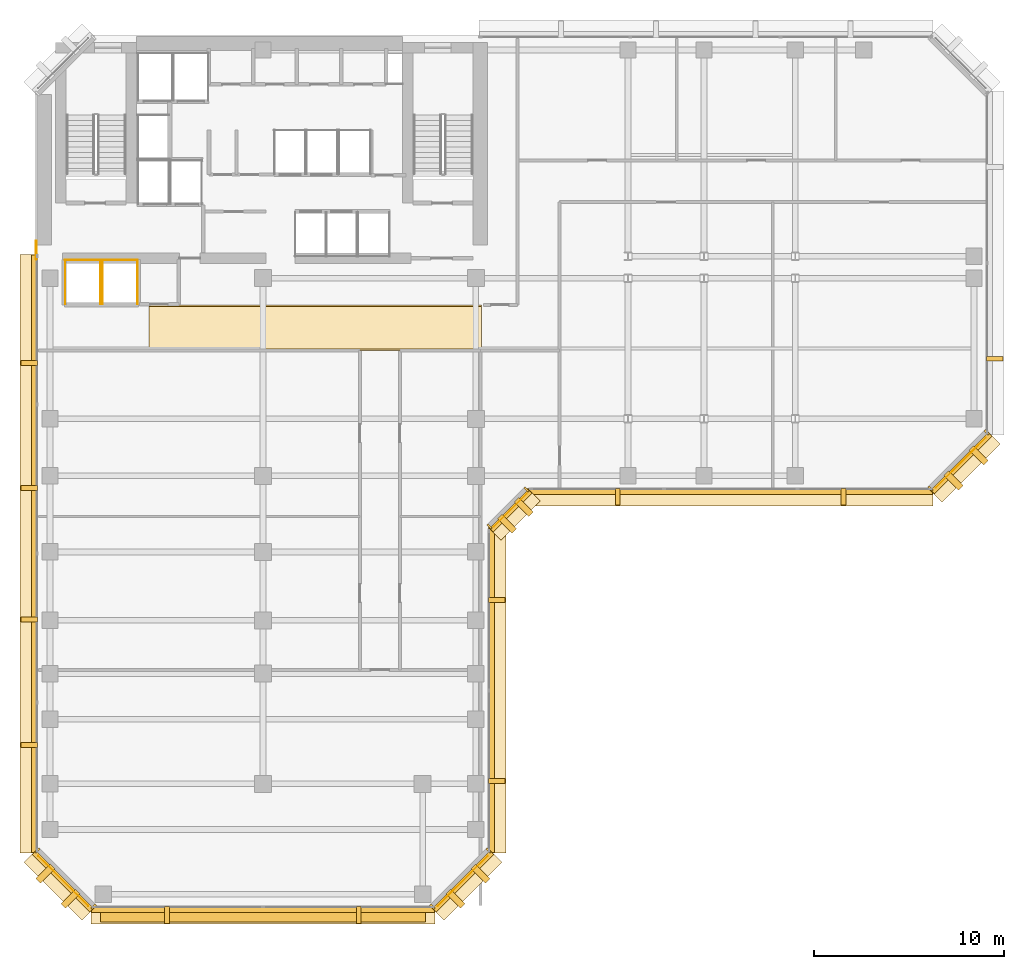
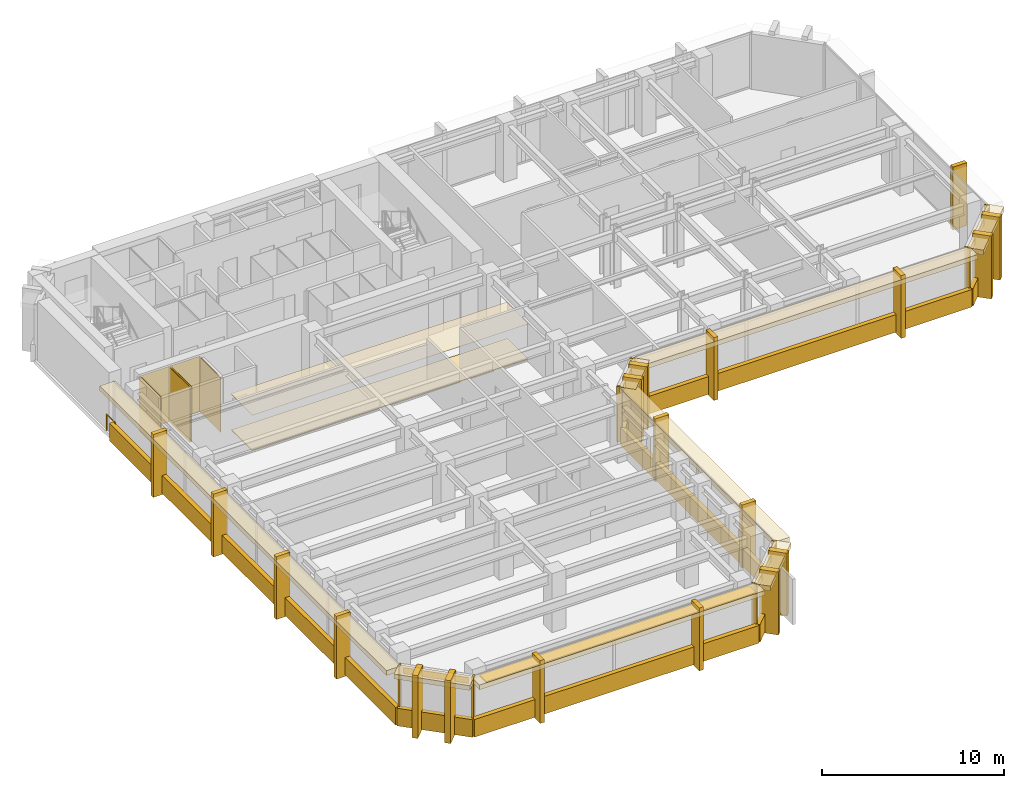
# One storey, part 9 of 11: 55 coverings, 1 railing, 1 shading device.
"""IFC4 building model written with IfcOpenShell, lengths in metres."""

from ifc_helpers import new_model, si_unit, direction, frame, origin, origin_2d, place, context, subcontext, project, spatial, polyline, rectangle, circle, outline, extrude, material, layer, layer_set, type_object, element, save


model = new_model("IFC4")

# Units and contexts
model_context = context("Model", 3, precision=1e-05, world=origin(), true_north=direction((0.0, 1.0)))
body_context = subcontext(model_context, "Body", "Model", "MODEL_VIEW")
ifc_project = project(units=[si_unit("LENGTHUNIT", "METRE"), si_unit("AREAUNIT", "SQUARE_METRE"), si_unit("VOLUMEUNIT", "CUBIC_METRE"), si_unit("PLANEANGLEUNIT", "RADIAN"), si_unit("MASSUNIT", "GRAM", prefix="KILO")], contexts=[model_context])

# Site, building, storey
site_placement = place(None, origin())
site = spatial("IfcSite", under=ifc_project, at=site_placement, CompositionType="ELEMENT")
building_placement = place(site_placement, origin())
building = spatial("IfcBuilding", under=site, at=building_placement, Name="Kefirva Bronze Tower", CompositionType="ELEMENT")
storey_placement = place(building_placement, frame((0.0, 0.0, 179.52001953125)))
storey = spatial("IfcBuildingStorey", under=building, at=storey_placement, Name="L43", CompositionType="ELEMENT", Elevation=179.52001953125)

# Coverings
ifc_material_1 = material(Name="Acoustic mineral tile")
ifc_layer_1 = layer(ifc_material_1, 0.02490234375, Name="Acoustic mineral tile")
ifc_layer_set_1 = layer_set([ifc_layer_1], Name="Acoustic mineral tile")
covering_type_1 = type_object("IfcCoveringType", Name="Acoustic Mineral Suspended Ceiling 25mm", PredefinedType="CEILING", material=ifc_layer_set_1)
covering_1_placement = place(storey_placement, frame((0.0, 0.0, 2.39990234375)))
element("IfcCovering", 1, at=covering_1_placement, inside=storey, type_object=covering_type_1, Name="L43 Corridor Acoustic Ceiling", PredefinedType="CEILING", context=body_context, shape_type="SweptSolid", body=[
    extrude(outline(polyline([(6.0, 29.39990234375), (23.5, 29.39990234375), (23.5, 31.800048828125), (6.0, 31.800048828125), (6.0, 29.39990234375)])), origin(), (0.0, 0.0, 1.0), 0.025146484375),
])
ifc_material_2 = material(Name="Bronze anodised aluminium", Category="aluminium")
ifc_layer_2 = layer(ifc_material_2, 0.02001953125, Name="Bronze anodised aluminium")
ifc_layer_set_2 = layer_set([ifc_layer_2], Name="Bronze anodised aluminium")
covering_type_2 = type_object("IfcCoveringType", Name="Anodised Bronze Spandrel Cladding 20mm", PredefinedType="CLADDING", material=ifc_layer_set_2)
covering_2_placement = place(storey_placement, frame((12.0, -0.0400390625, -0.16015625), z_axis=(0.0, 0.0, 1.0), x_axis=(1.0, 0.0, 0.0)))
element("IfcCovering", 2, at=covering_2_placement, inside=storey, type_object=covering_type_2, Name="L43 Streamline Horizontal Spandrel Band 0", PredefinedType="CLADDING", context=body_context, shape_type="SweptSolid", body=[
    extrude(rectangle(XDim=18.0400390625, YDim=0.280029296875, at=origin_2d()), origin(), (0.0, 0.0, 1.0), 1.179931640625),
])
covering_3_placement = place(storey_placement, frame((22.507080078125, 1.492919921875, 3.2900390625), z_axis=(0.0, 0.0, 1.0), x_axis=(0.707106781187, 0.707106781187, 0.0)))
element("IfcCovering", 3, at=covering_3_placement, inside=storey, type_object=covering_type_2, Name="L43 Bronze Spandrel Cladding 1", PredefinedType="CLADDING", context=body_context, shape_type="SweptSolid", body=[
    extrude(rectangle(XDim=3.719482421875, YDim=0.02001953125, at=origin_2d()), origin(), (0.0, 0.0, 1.0), 0.39990234375),
])
for number, where, z_axis, x_axis, name in (
    (4, (20.91162109375, 0.137939453125, 0.0), (0.0, 0.0, 1.0), (0.707106781187, 0.707106781187, 0.0), "L43 Facade Joint Closure Panel 1S"),
    (5, (23.862060546875, 3.08837890625, 0.0), (0.0, 0.0, 1.0), (0.707106781187, 0.707106781187, 0.0), "L43 Facade Joint Closure Panel 1E"),
):
    element("IfcCovering", number, at=place(storey_placement, frame(where, z_axis=z_axis, x_axis=x_axis)), inside=storey, type_object=covering_type_2, Name=name, PredefinedType="CLADDING", context=body_context, shape_type="SweptSolid", body=[
        extrude(rectangle(XDim=0.10009765625, YDim=0.320068359375, at=origin_2d()), origin(), (0.0, 0.0, 1.0), 3.7099609375),
    ])
covering_4_placement = place(storey_placement, frame((22.5283203125, 1.4716796875, -0.16015625), z_axis=(0.0, 0.0, 1.0), x_axis=(0.707106781187, 0.707106781187, 0.0)))
element("IfcCovering", 6, at=covering_4_placement, inside=storey, type_object=covering_type_2, Name="L43 Streamline Horizontal Spandrel Band 1", PredefinedType="CLADDING", context=body_context, shape_type="SweptSolid", body=[
    extrude(rectangle(XDim=4.28271484375, YDim=0.280029296875, at=origin_2d()), origin(), (0.0, 0.0, 1.0), 1.179931640625),
])
covering_5_placement = place(storey_placement, frame((24.0400390625, 11.5, -0.16015625), z_axis=(0.0, 0.0, 1.0), x_axis=(0.0, 1.0, 0.0)))
element("IfcCovering", 7, at=covering_5_placement, inside=storey, type_object=covering_type_2, Name="L43 Streamline Horizontal Spandrel Band 2", PredefinedType="CLADDING", context=body_context, shape_type="SweptSolid", body=[
    extrude(rectangle(XDim=17.0400390625, YDim=0.280029296875, at=origin_2d()), origin(), (0.0, 0.0, 1.0), 1.179931640625),
])
covering_6_placement = place(storey_placement, frame((25.007080078125, 20.992919921875, 3.2900390625), z_axis=(0.0, 0.0, 1.0), x_axis=(0.707106781187, 0.707106781187, 0.0)))
element("IfcCovering", 8, at=covering_6_placement, inside=storey, type_object=covering_type_2, Name="L43 Bronze Spandrel Cladding 2", PredefinedType="CLADDING", context=body_context, shape_type="SweptSolid", body=[
    extrude(rectangle(XDim=2.446533203125, YDim=0.02001953125, at=origin_2d()), origin(), (0.0, 0.0, 1.0), 0.39990234375),
])
for number, where, z_axis, x_axis, name in (
    (9, (23.91162109375, 20.137939453125, 0.0), (0.0, 0.0, 1.0), (0.707106781187, 0.707106781187, 0.0), "L43 Facade Joint Closure Panel 2S"),
    (10, (25.862060546875, 22.08837890625, 0.0), (0.0, 0.0, 1.0), (0.707106781187, 0.707106781187, 0.0), "L43 Facade Joint Closure Panel 2E"),
):
    element("IfcCovering", number, at=place(storey_placement, frame(where, z_axis=z_axis, x_axis=x_axis)), inside=storey, type_object=covering_type_2, Name=name, PredefinedType="CLADDING", context=body_context, shape_type="SweptSolid", body=[
        extrude(rectangle(XDim=0.10009765625, YDim=0.320068359375, at=origin_2d()), origin(), (0.0, 0.0, 1.0), 3.7099609375),
    ])
covering_7_placement = place(storey_placement, frame((25.0283203125, 20.9716796875, -0.16015625), z_axis=(0.0, 0.0, 1.0), x_axis=(0.707106781187, 0.707106781187, 0.0)))
element("IfcCovering", 11, at=covering_7_placement, inside=storey, type_object=covering_type_2, Name="L43 Streamline Horizontal Spandrel Band 3", PredefinedType="CLADDING", context=body_context, shape_type="SweptSolid", body=[
    extrude(rectangle(XDim=2.868408203125, YDim=0.280029296875, at=origin_2d()), origin(), (0.0, 0.0, 1.0), 1.179931640625),
])
covering_8_placement = place(storey_placement, frame((36.60009765625, 21.9599609375, -0.16015625), z_axis=(0.0, 0.0, 1.0), x_axis=(1.0, 0.0, 0.0)))
element("IfcCovering", 12, at=covering_8_placement, inside=storey, type_object=covering_type_2, Name="L43 Streamline Horizontal Spandrel Band 4", PredefinedType="CLADDING", context=body_context, shape_type="SweptSolid", body=[
    extrude(rectangle(XDim=21.239990234375, YDim=0.280029296875, at=origin_2d()), origin(), (0.0, 0.0, 1.0), 1.179931640625),
])
covering_9_placement = place(storey_placement, frame((48.70703125, 23.492919921875, 3.2900390625), z_axis=(0.0, 0.0, 1.0), x_axis=(0.707106781187, 0.707106781187, 0.0)))
element("IfcCovering", 13, at=covering_9_placement, inside=storey, type_object=covering_type_2, Name="L43 Bronze Spandrel Cladding 3", PredefinedType="CLADDING", context=body_context, shape_type="SweptSolid", body=[
    extrude(rectangle(XDim=3.719482421875, YDim=0.02001953125, at=origin_2d()), origin(), (0.0, 0.0, 1.0), 0.39990234375),
])
for number, where, z_axis, x_axis, name in (
    (14, (47.11181640625, 22.137939453125, 0.0), (0.0, 0.0, 1.0), (0.707106781187, 0.707106781187, 0.0), "L43 Facade Joint Closure Panel 3S"),
    (15, (50.06201171875, 25.08837890625, 0.0), (0.0, 0.0, 1.0), (0.707106781187, 0.707106781187, 0.0), "L43 Facade Joint Closure Panel 3E"),
):
    element("IfcCovering", number, at=place(storey_placement, frame(where, z_axis=z_axis, x_axis=x_axis)), inside=storey, type_object=covering_type_2, Name=name, PredefinedType="CLADDING", context=body_context, shape_type="SweptSolid", body=[
        extrude(rectangle(XDim=0.10009765625, YDim=0.320068359375, at=origin_2d()), origin(), (0.0, 0.0, 1.0), 3.7099609375),
    ])
covering_10_placement = place(storey_placement, frame((48.728271484375, 23.4716796875, -0.16015625), z_axis=(0.0, 0.0, 1.0), x_axis=(0.707106781187, 0.707106781187, 0.0)))
element("IfcCovering", 16, at=covering_10_placement, inside=storey, type_object=covering_type_2, Name="L43 Streamline Horizontal Spandrel Band 5", PredefinedType="CLADDING", context=body_context, shape_type="SweptSolid", body=[
    extrude(rectangle(XDim=4.28271484375, YDim=0.280029296875, at=origin_2d()), origin(), (0.0, 0.0, 1.0), 1.179931640625),
])
covering_11_placement = place(storey_placement, frame((-0.0400390625, 18.697509765625, -0.16015625), z_axis=(0.0, 0.0, 1.0), x_axis=(0.0, -1.0, 0.0)))
element("IfcCovering", 17, at=covering_11_placement, inside=storey, type_object=covering_type_2, Name="L43 Streamline Horizontal Spandrel Band 10", PredefinedType="CLADDING", context=body_context, shape_type="SweptSolid", body=[
    extrude(rectangle(XDim=31.43505859375, YDim=0.280029296875, at=origin_2d()), origin(), (0.0, 0.0, 1.0), 1.179931640625),
])
covering_12_placement = place(storey_placement, frame((1.492919921875, 1.492919921875, 3.2900390625), z_axis=(0.0, 0.0, 1.0), x_axis=(0.707106781187, -0.707106781187, 0.0)))
element("IfcCovering", 18, at=covering_12_placement, inside=storey, type_object=covering_type_2, Name="L43 Bronze Spandrel Cladding 6", PredefinedType="CLADDING", context=body_context, shape_type="SweptSolid", body=[
    extrude(rectangle(XDim=3.719482421875, YDim=0.02001953125, at=origin_2d()), origin(), (0.0, 0.0, 1.0), 0.39990234375),
])
for number, where, z_axis, x_axis, name in (
    (19, (0.137939453125, 3.08837890625, 0.0), (0.0, 0.0, 1.0), (0.707106781187, -0.707106781187, 0.0), "L43 Facade Joint Closure Panel 6S"),
    (20, (3.08837890625, 0.137939453125, 0.0), (0.0, 0.0, 1.0), (0.707106781187, -0.707106781187, 0.0), "L43 Facade Joint Closure Panel 6E"),
):
    element("IfcCovering", number, at=place(storey_placement, frame(where, z_axis=z_axis, x_axis=x_axis)), inside=storey, type_object=covering_type_2, Name=name, PredefinedType="CLADDING", context=body_context, shape_type="SweptSolid", body=[
        extrude(rectangle(XDim=0.10009765625, YDim=0.320068359375, at=origin_2d()), origin(), (0.0, 0.0, 1.0), 3.7099609375),
    ])
covering_13_placement = place(storey_placement, frame((1.4716796875, 1.4716796875, -0.16015625), z_axis=(0.0, 0.0, 1.0), x_axis=(0.707106781187, -0.707106781187, 0.0)))
element("IfcCovering", 21, at=covering_13_placement, inside=storey, type_object=covering_type_2, Name="L43 Streamline Horizontal Spandrel Band 11", PredefinedType="CLADDING", context=body_context, shape_type="SweptSolid", body=[
    extrude(rectangle(XDim=4.28271484375, YDim=0.280029296875, at=origin_2d()), origin(), (0.0, 0.0, 1.0), 1.179931640625),
])
covering_14_placement = place(storey_placement, origin())
element("IfcCovering", 22, at=covering_14_placement, inside=storey, type_object=covering_type_2, Name="L43 Lift OB1 Hoistway Liner N", PredefinedType="CLADDING", context=body_context, shape_type="SweptSolid", body=[
    extrude(outline(polyline([(1.580078125, 34.139892578125), (3.469970703125, 34.139892578125), (3.469970703125, 34.159912109375), (1.580078125, 34.159912109375), (1.580078125, 34.139892578125)])), origin(), (0.0, 0.0, 1.0), 3.7099609375),
])
covering_15_placement = place(storey_placement, origin())
element("IfcCovering", 23, at=covering_15_placement, inside=storey, type_object=covering_type_2, Name="L43 Lift OB1 Hoistway Liner W", PredefinedType="CLADDING", context=body_context, shape_type="SweptSolid", body=[
    extrude(outline(polyline([(1.590087890625, 31.830078125), (1.610107421875, 31.830078125), (1.610107421875, 34.169921875), (1.590087890625, 34.169921875), (1.590087890625, 31.830078125)])), origin(), (0.0, 0.0, 1.0), 3.7099609375),
])
covering_16_placement = place(storey_placement, origin())
element("IfcCovering", 24, at=covering_16_placement, inside=storey, type_object=covering_type_2, Name="L43 Lift OB1 Hoistway Liner E", PredefinedType="CLADDING", context=body_context, shape_type="SweptSolid", body=[
    extrude(outline(polyline([(3.43994140625, 31.830078125), (3.4599609375, 31.830078125), (3.4599609375, 34.169921875), (3.43994140625, 34.169921875), (3.43994140625, 31.830078125)])), origin(), (0.0, 0.0, 1.0), 3.7099609375),
])
covering_17_placement = place(storey_placement, origin())
element("IfcCovering", 25, at=covering_17_placement, inside=storey, type_object=covering_type_2, Name="L43 Lift OB2 Hoistway Liner N", PredefinedType="CLADDING", context=body_context, shape_type="SweptSolid", body=[
    extrude(outline(polyline([(3.530029296875, 34.139892578125), (5.419921875, 34.139892578125), (5.419921875, 34.159912109375), (3.530029296875, 34.159912109375), (3.530029296875, 34.139892578125)])), origin(), (0.0, 0.0, 1.0), 3.7099609375),
])
covering_18_placement = place(storey_placement, origin())
element("IfcCovering", 26, at=covering_18_placement, inside=storey, type_object=covering_type_2, Name="L43 Lift OB2 Hoistway Liner W", PredefinedType="CLADDING", context=body_context, shape_type="SweptSolid", body=[
    extrude(outline(polyline([(3.5400390625, 31.830078125), (3.56005859375, 31.830078125), (3.56005859375, 34.169921875), (3.5400390625, 34.169921875), (3.5400390625, 31.830078125)])), origin(), (0.0, 0.0, 1.0), 3.7099609375),
])
covering_19_placement = place(storey_placement, origin())
element("IfcCovering", 27, at=covering_19_placement, inside=storey, type_object=covering_type_2, Name="L43 Lift OB2 Hoistway Liner E", PredefinedType="CLADDING", context=body_context, shape_type="SweptSolid", body=[
    extrude(outline(polyline([(5.389892578125, 31.830078125), (5.409912109375, 31.830078125), (5.409912109375, 34.169921875), (5.389892578125, 34.169921875), (5.389892578125, 31.830078125)])), origin(), (0.0, 0.0, 1.0), 3.7099609375),
])

# Shading device
ifc_layer_3 = layer(ifc_material_2, 0.090087890625, Name="Bronze anodised aluminium")
ifc_layer_set_3 = layer_set([ifc_layer_3], Name="Bronze anodised aluminium")
shading_device_type = type_object("IfcShadingDeviceType", Name="Horizontal Bronze Sunshade Band 750mm", PredefinedType="JALOUSIE", material=ifc_layer_set_3)
shading_device_placement = place(storey_placement, frame((12.0, -0.294921875, 3.60498046875), z_axis=(0.0, 0.0, 1.0), x_axis=(1.0, 0.0, 0.0)))
element("IfcShadingDevice", 28, at=shading_device_placement, inside=storey, type_object=shading_device_type, Name="L43 Horizontal Bronze Sunshade Band 0", PredefinedType="JALOUSIE", context=body_context, shape_type="SweptSolid", body=[
    extrude(rectangle(XDim=17.090087890625, YDim=0.75, at=origin_2d()), origin(), (0.0, 0.0, 1.0), 0.090087890625),
])

# Railing
ifc_material_3 = material(Name="Stainless steel 316", Category="steel")
railing_type = type_object("IfcRailingType", Name="Interior Stair Guardrail 1100mm", PredefinedType="GUARDRAIL", material=ifc_material_3)
railing_placement = place(storey_placement, frame((0.080078125, 34.199951171875, 0.0)))
element("IfcRailing", 29, at=railing_placement, inside=storey, type_object=railing_type, Name="L43 West Core Junction Guardrail", PredefinedType="GUARDRAIL", context=body_context, shape_type="SweptSolid", body=[
    extrude(circle(Radius=0.02392578125, at=origin_2d()), frame((0.0, 0.0, 1.076171875), z_axis=(0.0, 1.0, 0.0), x_axis=(-1.0, 0.0, 0.0)), (0.0, 0.0, 1.0), 0.949951171875),
    extrude(circle(Radius=0.02099609375, at=origin_2d()), origin(), (0.0, 0.0, 1.0), 1.052001953125),
    extrude(circle(Radius=0.02099609375, at=origin_2d()), frame((0.0, 0.949951171875, 0.0)), (0.0, 0.0, 1.0), 1.052001953125),
])

# Coverings
ifc_material_4 = material(Name="Calcium sulphate access tile")
ifc_layer_4 = layer(ifc_material_4, 0.044921875, Name="Calcium sulphate access tile")
ifc_layer_set_4 = layer_set([ifc_layer_4], Name="Calcium sulphate access tile")
covering_type_3 = type_object("IfcCoveringType", Name="Raised Access Office Flooring 45mm", PredefinedType="FLOORING", material=ifc_layer_set_4)
covering_20_placement = place(storey_placement, origin())
element("IfcCovering", 30, at=covering_20_placement, inside=storey, type_object=covering_type_3, Name="L43 Architectural Finish Flooring", PredefinedType="FLOORING", context=body_context, shape_type="SweptSolid", body=[
    extrude(outline(polyline([(6.0, 29.47998046875), (23.5, 29.47998046875), (23.5, 31.719970703125), (6.0, 31.719970703125), (6.0, 29.47998046875)])), origin(), (0.0, 0.0, 1.0), 0.044921875),
])
ifc_layer_5 = layer(ifc_material_2, 0.179931640625, Name="Bronze anodised aluminium")
ifc_layer_set_5 = layer_set([ifc_layer_5], Name="Bronze anodised aluminium")
covering_type_4 = type_object("IfcCoveringType", Name="Streamline Bronze Sunshade Eyebrow Cladding 180mm", PredefinedType="CLADDING", material=ifc_layer_set_5)
covering_21_placement = place(storey_placement, frame((12.0, -0.31005859375, 3.39013671875), z_axis=(0.0, 0.0, 1.0), x_axis=(1.0, 0.0, 0.0)))
element("IfcCovering", 31, at=covering_21_placement, inside=storey, type_object=covering_type_4, Name="L43 Streamline Bronze Sunshade Eyebrow 0", PredefinedType="CLADDING", context=body_context, shape_type="SweptSolid", body=[
    extrude(rectangle(XDim=18.080078125, YDim=0.93994140625, at=origin_2d()), origin(), (0.0, 0.0, 1.0), 0.320068359375),
])
covering_22_placement = place(storey_placement, frame((22.71923828125, 1.28076171875, 3.39013671875), z_axis=(0.0, 0.0, 1.0), x_axis=(0.707106781187, 0.707106781187, 0.0)))
element("IfcCovering", 32, at=covering_22_placement, inside=storey, type_object=covering_type_4, Name="L43 Streamline Bronze Sunshade Eyebrow 1", PredefinedType="CLADDING", context=body_context, shape_type="SweptSolid", body=[
    extrude(rectangle(XDim=4.322509765625, YDim=0.93994140625, at=origin_2d()), origin(), (0.0, 0.0, 1.0), 0.320068359375),
])
covering_23_placement = place(storey_placement, frame((24.31005859375, 11.5, 3.39013671875), z_axis=(0.0, 0.0, 1.0), x_axis=(0.0, 1.0, 0.0)))
element("IfcCovering", 33, at=covering_23_placement, inside=storey, type_object=covering_type_4, Name="L43 Streamline Bronze Sunshade Eyebrow 2", PredefinedType="CLADDING", context=body_context, shape_type="SweptSolid", body=[
    extrude(rectangle(XDim=17.080078125, YDim=0.93994140625, at=origin_2d()), origin(), (0.0, 0.0, 1.0), 0.320068359375),
])
covering_24_placement = place(storey_placement, frame((25.21923828125, 20.78076171875, 3.39013671875), z_axis=(0.0, 0.0, 1.0), x_axis=(0.707106781187, 0.707106781187, 0.0)))
element("IfcCovering", 34, at=covering_24_placement, inside=storey, type_object=covering_type_4, Name="L43 Streamline Bronze Sunshade Eyebrow 3", PredefinedType="CLADDING", context=body_context, shape_type="SweptSolid", body=[
    extrude(rectangle(XDim=2.908447265625, YDim=0.93994140625, at=origin_2d()), origin(), (0.0, 0.0, 1.0), 0.320068359375),
])
covering_25_placement = place(storey_placement, frame((36.60009765625, 21.68994140625, 3.39013671875), z_axis=(0.0, 0.0, 1.0), x_axis=(1.0, 0.0, 0.0)))
element("IfcCovering", 35, at=covering_25_placement, inside=storey, type_object=covering_type_4, Name="L43 Streamline Bronze Sunshade Eyebrow 4", PredefinedType="CLADDING", context=body_context, shape_type="SweptSolid", body=[
    extrude(rectangle(XDim=21.280029296875, YDim=0.93994140625, at=origin_2d()), origin(), (0.0, 0.0, 1.0), 0.320068359375),
])
covering_26_placement = place(storey_placement, frame((48.919189453125, 23.28076171875, 3.39013671875), z_axis=(0.0, 0.0, 1.0), x_axis=(0.707106781187, 0.707106781187, 0.0)))
element("IfcCovering", 36, at=covering_26_placement, inside=storey, type_object=covering_type_4, Name="L43 Streamline Bronze Sunshade Eyebrow 5", PredefinedType="CLADDING", context=body_context, shape_type="SweptSolid", body=[
    extrude(rectangle(XDim=4.322509765625, YDim=0.93994140625, at=origin_2d()), origin(), (0.0, 0.0, 1.0), 0.320068359375),
])
covering_27_placement = place(storey_placement, frame((-0.31005859375, 18.697509765625, 3.39013671875), z_axis=(0.0, 0.0, 1.0), x_axis=(0.0, -1.0, 0.0)))
element("IfcCovering", 37, at=covering_27_placement, inside=storey, type_object=covering_type_4, Name="L43 Streamline Bronze Sunshade Eyebrow 10", PredefinedType="CLADDING", context=body_context, shape_type="SweptSolid", body=[
    extrude(rectangle(XDim=31.47509765625, YDim=0.93994140625, at=origin_2d()), origin(), (0.0, 0.0, 1.0), 0.320068359375),
])
covering_28_placement = place(storey_placement, frame((1.28076171875, 1.28076171875, 3.39013671875), z_axis=(0.0, 0.0, 1.0), x_axis=(0.707106781187, -0.707106781187, 0.0)))
element("IfcCovering", 38, at=covering_28_placement, inside=storey, type_object=covering_type_4, Name="L43 Streamline Bronze Sunshade Eyebrow 11", PredefinedType="CLADDING", context=body_context, shape_type="SweptSolid", body=[
    extrude(rectangle(XDim=4.322509765625, YDim=0.93994140625, at=origin_2d()), origin(), (0.0, 0.0, 1.0), 0.320068359375),
])
ifc_layer_6 = layer(ifc_material_2, 0.260009765625, Name="Bronze anodised aluminium")
ifc_layer_set_6 = layer_set([ifc_layer_6], Name="Bronze anodised aluminium")
covering_type_5 = type_object("IfcCoveringType", Name="Unbroken Bronze Buttress Fin Cladding 260mm", PredefinedType="CLADDING", material=ifc_layer_set_6)
for number, where, z_axis, x_axis, name in (
    (39, (6.9599609375, -0.300048828125, -0.25), (0.0, 0.0, 1.0), (1.0, 0.0, 0.0), "L43 Unbroken Vertical Bronze Rib Fin 1"),
    (40, (17.0400390625, -0.300048828125, -0.25), (0.0, 0.0, 1.0), (1.0, 0.0, 0.0), "L43 Unbroken Vertical Bronze Rib Fin 2"),
):
    element("IfcCovering", number, at=place(storey_placement, frame(where, z_axis=z_axis, x_axis=x_axis)), inside=storey, type_object=covering_type_5, Name=name, PredefinedType="CLADDING", context=body_context, shape_type="SweptSolid", body=[
        extrude(rectangle(XDim=0.260009765625, YDim=0.8798828125, at=origin_2d()), origin(), (0.0, 0.0, 1.0), 4.2099609375),
    ])
for number, where, z_axis, x_axis, name in (
    (41, (22.122802734375, 0.55712890625, -0.25), (0.0, 0.0, 1.0), (0.707106781187, 0.707106781187, 0.0), "L43 Chamfered Corner Buttress Fin Cladding 3"),
    (42, (23.44287109375, 1.877197265625, -0.25), (0.0, 0.0, 1.0), (0.707106781187, 0.707106781187, 0.0), "L43 Chamfered Corner Buttress Fin Cladding 4"),
):
    element("IfcCovering", number, at=place(storey_placement, frame(where, z_axis=z_axis, x_axis=x_axis)), inside=storey, type_object=covering_type_5, Name=name, PredefinedType="CLADDING", context=body_context, shape_type="SweptSolid", body=[
        extrude(rectangle(XDim=0.340087890625, YDim=1.080078125, at=origin_2d()), origin(), (0.0, 0.0, 1.0), 4.2099609375),
    ])
for number, where, z_axis, x_axis, name in (
    (43, (24.300048828125, 6.739990234375, -0.25), (0.0, 0.0, 1.0), (0.0, 1.0, 0.0), "L43 Unbroken Vertical Bronze Rib Fin 5"),
    (44, (24.300048828125, 16.260009765625, -0.25), (0.0, 0.0, 1.0), (0.0, 1.0, 0.0), "L43 Unbroken Vertical Bronze Rib Fin 6"),
):
    element("IfcCovering", number, at=place(storey_placement, frame(where, z_axis=z_axis, x_axis=x_axis)), inside=storey, type_object=covering_type_5, Name=name, PredefinedType="CLADDING", context=body_context, shape_type="SweptSolid", body=[
        extrude(rectangle(XDim=0.260009765625, YDim=0.8798828125, at=origin_2d()), origin(), (0.0, 0.0, 1.0), 4.2099609375),
    ])
for number, where, z_axis, x_axis, name in (
    (45, (24.8427734375, 20.277099609375, -0.25), (0.0, 0.0, 1.0), (0.707106781187, 0.707106781187, 0.0), "L43 Chamfered Corner Buttress Fin Cladding 7"),
    (46, (25.722900390625, 21.1572265625, -0.25), (0.0, 0.0, 1.0), (0.707106781187, 0.707106781187, 0.0), "L43 Chamfered Corner Buttress Fin Cladding 8"),
):
    element("IfcCovering", number, at=place(storey_placement, frame(where, z_axis=z_axis, x_axis=x_axis)), inside=storey, type_object=covering_type_5, Name=name, PredefinedType="CLADDING", context=body_context, shape_type="SweptSolid", body=[
        extrude(rectangle(XDim=0.340087890625, YDim=1.080078125, at=origin_2d()), origin(), (0.0, 0.0, 1.0), 4.2099609375),
    ])
for number, where, z_axis, x_axis, name in (
    (47, (30.6640625, 21.699951171875, -0.25), (0.0, 0.0, 1.0), (1.0, 0.0, 0.0), "L43 Unbroken Vertical Bronze Rib Fin 9"),
    (48, (42.535888671875, 21.699951171875, -0.25), (0.0, 0.0, 1.0), (1.0, 0.0, 0.0), "L43 Unbroken Vertical Bronze Rib Fin 10"),
):
    element("IfcCovering", number, at=place(storey_placement, frame(where, z_axis=z_axis, x_axis=x_axis)), inside=storey, type_object=covering_type_5, Name=name, PredefinedType="CLADDING", context=body_context, shape_type="SweptSolid", body=[
        extrude(rectangle(XDim=0.260009765625, YDim=0.8798828125, at=origin_2d()), origin(), (0.0, 0.0, 1.0), 4.2099609375),
    ])
for number, where, z_axis, x_axis, name in (
    (49, (48.32275390625, 22.55712890625, -0.25), (0.0, 0.0, 1.0), (0.707106781187, 0.707106781187, 0.0), "L43 Chamfered Corner Buttress Fin Cladding 11"),
    (50, (49.642822265625, 23.877197265625, -0.25), (0.0, 0.0, 1.0), (0.707106781187, 0.707106781187, 0.0), "L43 Chamfered Corner Buttress Fin Cladding 12"),
):
    element("IfcCovering", number, at=place(storey_placement, frame(where, z_axis=z_axis, x_axis=x_axis)), inside=storey, type_object=covering_type_5, Name=name, PredefinedType="CLADDING", context=body_context, shape_type="SweptSolid", body=[
        extrude(rectangle(XDim=0.340087890625, YDim=1.080078125, at=origin_2d()), origin(), (0.0, 0.0, 1.0), 4.2099609375),
    ])
for number, where, z_axis, x_axis, name in (
    (51, (50.5, 28.9599609375, -0.25), (0.0, 0.0, 1.0), (0.0, 1.0, 0.0), "L43 Unbroken Vertical Bronze Rib Fin 13"),
    (52, (-0.300048828125, 28.743896484375, -0.25), (0.0, 0.0, 1.0), (0.0, -1.0, 0.0), "L43 Unbroken Vertical Bronze Rib Fin 23"),
    (53, (-0.300048828125, 22.15087890625, -0.25), (0.0, 0.0, 1.0), (0.0, -1.0, 0.0), "L43 Unbroken Vertical Bronze Rib Fin 24"),
    (54, (-0.300048828125, 15.244140625, -0.25), (0.0, 0.0, 1.0), (0.0, -1.0, 0.0), "L43 Unbroken Vertical Bronze Rib Fin 25"),
    (55, (-0.300048828125, 8.651123046875, -0.25), (0.0, 0.0, 1.0), (0.0, -1.0, 0.0), "L43 Unbroken Vertical Bronze Rib Fin 26"),
):
    element("IfcCovering", number, at=place(storey_placement, frame(where, z_axis=z_axis, x_axis=x_axis)), inside=storey, type_object=covering_type_5, Name=name, PredefinedType="CLADDING", context=body_context, shape_type="SweptSolid", body=[
        extrude(rectangle(XDim=0.260009765625, YDim=0.8798828125, at=origin_2d()), origin(), (0.0, 0.0, 1.0), 4.2099609375),
    ])
for number, where, z_axis, x_axis, name in (
    (56, (0.55712890625, 1.877197265625, -0.25), (0.0, 0.0, 1.0), (0.707106781187, -0.707106781187, 0.0), "L43 Chamfered Corner Buttress Fin Cladding 27"),
    (57, (1.877197265625, 0.55712890625, -0.25), (0.0, 0.0, 1.0), (0.707106781187, -0.707106781187, 0.0), "L43 Chamfered Corner Buttress Fin Cladding 28"),
):
    element("IfcCovering", number, at=place(storey_placement, frame(where, z_axis=z_axis, x_axis=x_axis)), inside=storey, type_object=covering_type_5, Name=name, PredefinedType="CLADDING", context=body_context, shape_type="SweptSolid", body=[
        extrude(rectangle(XDim=0.340087890625, YDim=1.080078125, at=origin_2d()), origin(), (0.0, 0.0, 1.0), 4.2099609375),
    ])

save(model, "model.ifc")
